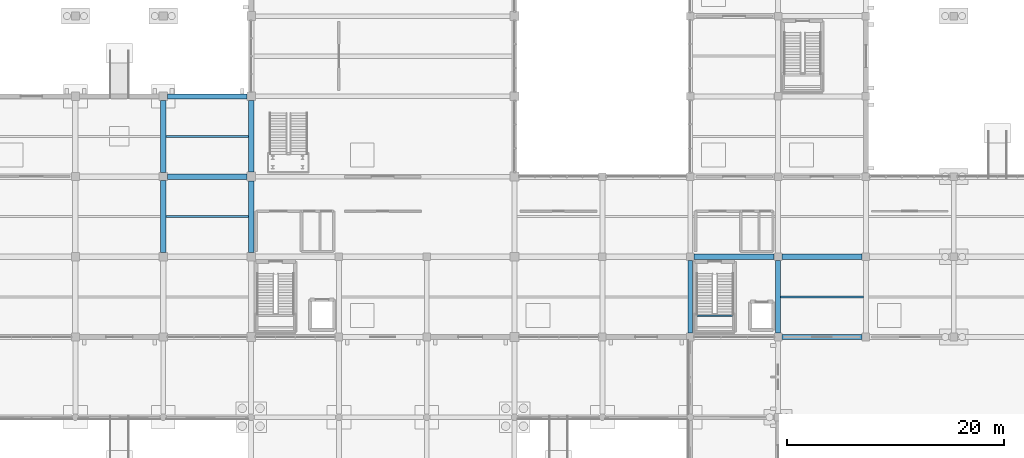
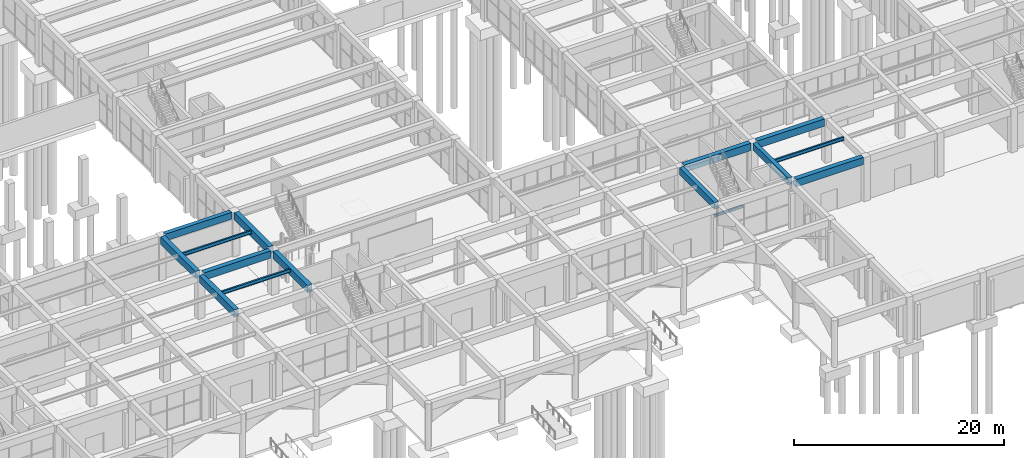
# One storey, part 36 of 140: 15 beams.
"""IFC4 building model written with IfcOpenShell, lengths in metres."""

from ifc_helpers import new_model, si_unit, direction, frame, origin, origin_2d, place, context, subcontext, project, spatial, rectangle, i_section, extrude, material, material_profile, profile_set, type_object, element, save


model = new_model("IFC4")

# Units and contexts
model_context = context("Model", 3, precision=1e-05, world=origin(), true_north=direction((0.0, 1.0)))
body_context = subcontext(model_context, "Body", "Model", "MODEL_VIEW")
ifc_project = project(units=[si_unit("LENGTHUNIT", "METRE"), si_unit("AREAUNIT", "SQUARE_METRE"), si_unit("VOLUMEUNIT", "CUBIC_METRE"), si_unit("PLANEANGLEUNIT", "RADIAN"), si_unit("MASSUNIT", "GRAM", prefix="KILO")], contexts=[model_context])

# Site, building, storey
site_placement = place(None, origin())
site = spatial("IfcSite", under=ifc_project, at=site_placement, CompositionType="ELEMENT")
building_placement = place(site_placement, origin())
building = spatial("IfcBuilding", under=site, at=building_placement, Name="Cimatlan Art Gallery", CompositionType="ELEMENT")
storey_placement = place(building_placement, origin())
storey = spatial("IfcBuildingStorey", under=building, at=storey_placement, Name="L00", CompositionType="ELEMENT", Elevation=0.0)

# Beams
ifc_material_1 = material(Name="Concrete C40/50", Category="concrete")
ifc_material_profile_1 = material_profile(ifc_material_1, rectangle(XDim=0.449951171875, YDim=0.800048828125, at=origin_2d()), Name="RC450X800")
ifc_profile_set_1 = profile_set([ifc_material_profile_1], Name="Concrete C40/50")
beam_type_1 = type_object("IfcBeamType", Name="BM-RC-450X800", PredefinedType="BEAM", material=ifc_profile_set_1)
for number, where, z_axis, x_axis, name in (
    (1, (115.39990234375, 24.25, 4.735107421875), (0.0, 1.0, 0.0), (-1.0, 0.0, 0.0), "BM-Y-L00-14-03"),
    (2, (123.5, 24.25, 4.735107421875), (0.0, 1.0, 0.0), (-1.0, 0.0, 0.0), "BM-Y-L00-15-03"),
):
    element("IfcBeam", number, at=place(storey_placement, frame(where, z_axis=z_axis, x_axis=x_axis)), inside=storey, type_object=beam_type_1, Name=name, PredefinedType="BEAM", context=body_context, shape_type="SweptSolid", body=[
        extrude(rectangle(XDim=0.449951171875, YDim=0.800048828125, at=origin_2d()), origin(), (0.0, 0.0, 1.0), 6.699951171875),
    ])
beam_1_placement = place(storey_placement, frame((67.175048828125, 46.10009765625, 4.735107421875), z_axis=(1.0, 0.0, 0.0), x_axis=(0.0, 1.0, 0.0)))
element("IfcBeam", 3, at=beam_1_placement, inside=storey, type_object=beam_type_1, Name="BM-X-L00-08-06", PredefinedType="BEAM", context=body_context, shape_type="SweptSolid", body=[
    extrude(rectangle(XDim=0.449951171875, YDim=0.800048828125, at=origin_2d()), origin(), (0.0, 0.0, 1.0), 7.324951171875),
])
ifc_material_profile_2 = material_profile(ifc_material_1, rectangle(XDim=0.5, YDim=0.85009765625, at=origin_2d()), Name="RC500X850")
ifc_profile_set_2 = profile_set([ifc_material_profile_2], Name="Concrete C40/50")
beam_type_2 = type_object("IfcBeamType", Name="BM-RC-500X850", PredefinedType="BEAM", material=ifc_profile_set_2)
beam_2_placement = place(storey_placement, frame((66.800048828125, 31.675048828125, 4.7099609375), z_axis=(0.0, 1.0, 0.0), x_axis=(-1.0, 0.0, 0.0)))
element("IfcBeam", 4, at=beam_2_placement, inside=storey, type_object=beam_type_2, Name="BM-Y-L00-08-04", PredefinedType="BEAM", context=body_context, shape_type="SweptSolid", body=[
    extrude(rectangle(XDim=0.5, YDim=0.85009765625, at=origin_2d()), origin(), (0.0, 0.0, 1.0), 6.64990234375),
])
beam_3_placement = place(storey_placement, frame((66.800048828125, 39.074951171875, 4.7099609375), z_axis=(0.0, 1.0, 0.0), x_axis=(-1.0, 0.0, 0.0)))
element("IfcBeam", 5, at=beam_3_placement, inside=storey, type_object=beam_type_2, Name="BM-Y-L00-08-05", PredefinedType="BEAM", context=body_context, shape_type="SweptSolid", body=[
    extrude(rectangle(XDim=0.5, YDim=0.85009765625, at=origin_2d()), origin(), (0.0, 0.0, 1.0), 6.650146484375),
])
beam_4_placement = place(storey_placement, frame((74.89990234375, 31.699951171875, 4.7099609375), z_axis=(0.0, 1.0, 0.0), x_axis=(-1.0, 0.0, 0.0)))
element("IfcBeam", 6, at=beam_4_placement, inside=storey, type_object=beam_type_2, Name="BM-Y-L00-09-04", PredefinedType="BEAM", context=body_context, shape_type="SweptSolid", body=[
    extrude(rectangle(XDim=0.5, YDim=0.85009765625, at=origin_2d()), origin(), (0.0, 0.0, 1.0), 6.60009765625),
])
beam_5_placement = place(storey_placement, frame((74.89990234375, 39.10009765625, 4.7099609375), z_axis=(0.0, 1.0, 0.0), x_axis=(-1.0, 0.0, 0.0)))
element("IfcBeam", 7, at=beam_5_placement, inside=storey, type_object=beam_type_2, Name="BM-Y-L00-09-05", PredefinedType="BEAM", context=body_context, shape_type="SweptSolid", body=[
    extrude(rectangle(XDim=0.5, YDim=0.85009765625, at=origin_2d()), origin(), (0.0, 0.0, 1.0), 6.599853515625),
])
beam_6_placement = place(storey_placement, frame((67.175048828125, 38.699951171875, 4.7099609375), z_axis=(1.0, 0.0, 0.0), x_axis=(0.0, 1.0, 0.0)))
element("IfcBeam", 8, at=beam_6_placement, inside=storey, type_object=beam_type_2, Name="BM-X-L00-08-05", PredefinedType="BEAM", context=body_context, shape_type="SweptSolid", body=[
    extrude(rectangle(XDim=0.5, YDim=0.85009765625, at=origin_2d()), origin(), (0.0, 0.0, 1.0), 7.324951171875),
])
for number, where, z_axis, x_axis, name in (
    (9, (115.75, 31.300048828125, 4.7099609375), (1.0, 0.0, 0.0), (0.0, 1.0, 0.0), "BM-X-L00-14-04"),
    (10, (123.85009765625, 23.89990234375, 4.7099609375), (1.0, 0.0, 0.0), (0.0, 1.0, 0.0), "BM-X-L00-15-03"),
    (11, (123.85009765625, 31.300048828125, 4.7099609375), (1.0, 0.0, 0.0), (0.0, 1.0, 0.0), "BM-X-L00-15-04"),
):
    element("IfcBeam", number, at=place(storey_placement, frame(where, z_axis=z_axis, x_axis=x_axis)), inside=storey, type_object=beam_type_2, Name=name, PredefinedType="BEAM", context=body_context, shape_type="SweptSolid", body=[
        extrude(rectangle(XDim=0.5, YDim=0.85009765625, at=origin_2d()), origin(), (0.0, 0.0, 1.0), 7.39990234375),
    ])
ifc_material_2 = material(Name="Steel ASTM A992 Grade 50", Category="steel")
ifc_material_profile_3 = material_profile(ifc_material_2, i_section(OverallWidth=0.1650390625, OverallDepth=0.31005859375, WebThickness=0.005859375, FlangeThickness=0.009765625, at=origin_2d()), Name="W12X26")
ifc_profile_set_3 = profile_set([ifc_material_profile_3], Name="Steel ASTM A992 Grade 50")
beam_type_3 = type_object("IfcBeamType", Name="BM-STL-W12X26", PredefinedType="JOIST", material=ifc_profile_set_3)
beam_7_placement = place(storey_placement, frame((116.014892578125, 25.85498046875, 2.324951171875), z_axis=(1.0, 0.0, 0.0), x_axis=(0.0, 1.0, 0.0)))
element("IfcBeam", 12, at=beam_7_placement, inside=storey, type_object=beam_type_3, Name="BM-STR-C4-L00-LH2", PredefinedType="JOIST", context=body_context, shape_type="SweptSolid", body=[
    extrude(i_section(OverallWidth=0.1650390625, OverallDepth=0.31005859375, WebThickness=0.005859375, FlangeThickness=0.009765625, at=origin_2d()), origin(), (0.0, 0.0, 1.0), 3.2900390625),
])
ifc_material_profile_4 = material_profile(ifc_material_2, i_section(OverallWidth=0.177978515625, OverallDepth=0.406982421875, WebThickness=0.0078125, FlangeThickness=0.0126953125, at=origin_2d()), Name="W16X40")
ifc_profile_set_4 = profile_set([ifc_material_profile_4], Name="Steel ASTM A992 Grade 50")
beam_type_4 = type_object("IfcBeamType", Name="BM-STL-W16X40", PredefinedType="JOIST", material=ifc_profile_set_4)
for number, where, z_axis, x_axis, name in (
    (13, (67.050048828125, 35.0, 4.931396484375), (1.0, 0.0, 0.0), (0.0, 1.0, 0.0), "JST-L00-08-04"),
    (14, (67.050048828125, 42.39990234375, 4.931396484375), (1.0, 0.0, 0.0), (0.0, 1.0, 0.0), "JST-L00-08-05"),
):
    element("IfcBeam", number, at=place(storey_placement, frame(where, z_axis=z_axis, x_axis=x_axis)), inside=storey, type_object=beam_type_4, Name=name, PredefinedType="JOIST", context=body_context, shape_type="SweptSolid", body=[
        extrude(i_section(OverallWidth=0.177978515625, OverallDepth=0.406982421875, WebThickness=0.0078125, FlangeThickness=0.0126953125, at=origin_2d()), origin(), (0.0, 0.0, 1.0), 7.599853515625),
    ])
beam_8_placement = place(storey_placement, frame((123.72509765625, 27.60009765625, 4.931396484375), z_axis=(1.0, 0.0, 0.0), x_axis=(0.0, 1.0, 0.0)))
element("IfcBeam", 15, at=beam_8_placement, inside=storey, type_object=beam_type_4, Name="JST-L00-15-03", PredefinedType="JOIST", context=body_context, shape_type="SweptSolid", body=[
    extrude(i_section(OverallWidth=0.177978515625, OverallDepth=0.406982421875, WebThickness=0.0078125, FlangeThickness=0.0126953125, at=origin_2d()), origin(), (0.0, 0.0, 1.0), 7.64990234375),
])

save(model, "model.ifc")
